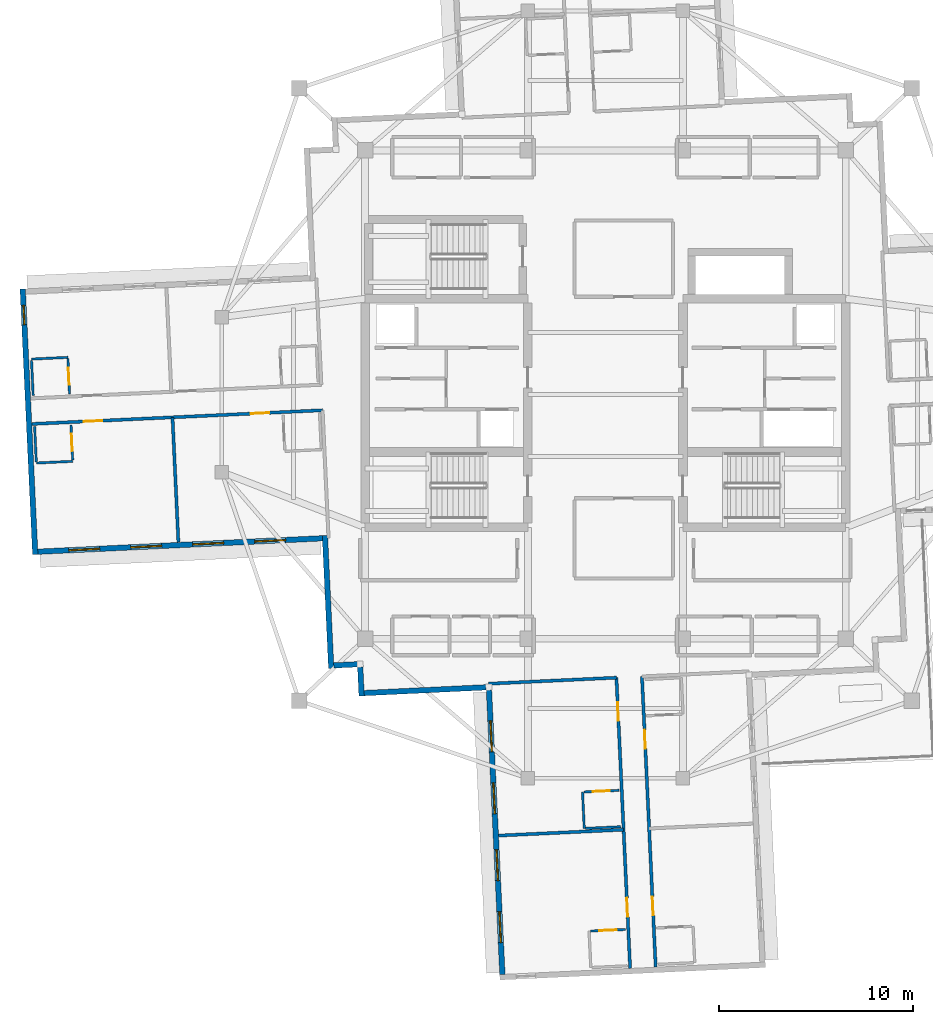
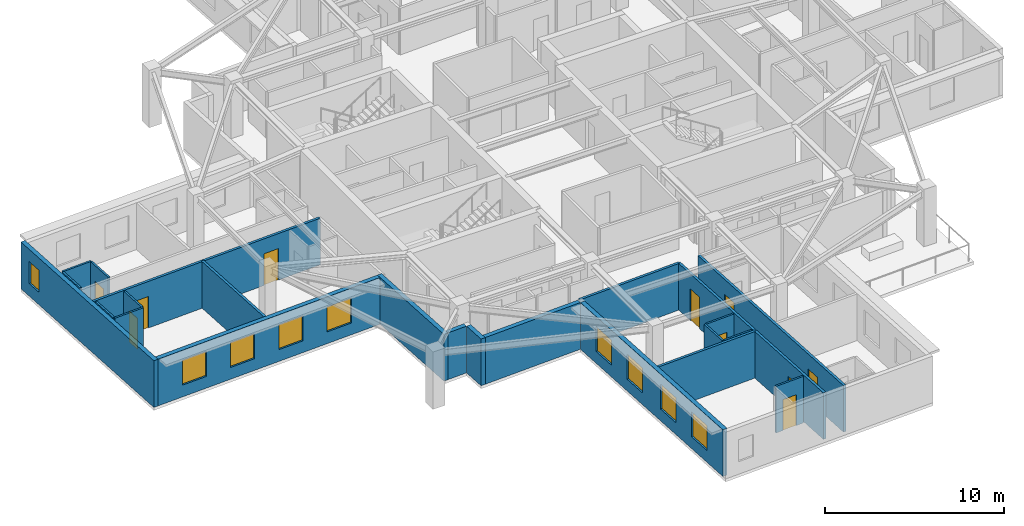
# One storey, part 3 of 13: 23 walls, 10 doors, 9 windows, 19 openings.
"""IFC4 building model written with IfcOpenShell, lengths in metres."""

from ifc_helpers import new_model, si_unit, direction, frame, frame_2d, origin, place, context, subcontext, project, spatial, rectangle, extrude, material, layer, layer_set, type_object, element, fill, save


model = new_model("IFC4")

# Units and contexts
model_context = context("Model", 3, precision=1e-05, world=origin(), true_north=direction((0.0, 1.0)))
body_context = subcontext(model_context, "Body", "Model", "MODEL_VIEW")
ifc_project = project(units=[si_unit("LENGTHUNIT", "METRE"), si_unit("AREAUNIT", "SQUARE_METRE"), si_unit("VOLUMEUNIT", "CUBIC_METRE"), si_unit("PLANEANGLEUNIT", "RADIAN"), si_unit("MASSUNIT", "GRAM", prefix="KILO")], contexts=[model_context])

# Site, building, storey
site_placement = place(None, origin())
site = spatial("IfcSite", under=ifc_project, at=site_placement, CompositionType="ELEMENT")
building_placement = place(site_placement, origin())
building = spatial("IfcBuilding", under=site, at=building_placement, Name="Qingluan Cross Belvedere", CompositionType="ELEMENT")
storey_placement = place(building_placement, frame((0.0, 0.0, 277.199951171875)))
storey = spatial("IfcBuildingStorey", under=building, at=storey_placement, Name="L69", CompositionType="ELEMENT", Elevation=277.199951171875)

# Wall, openings, doors
ifc_material_1 = material(Name="Gypsum plasterboard on steel stud acoustic partition", Category="steel")
ifc_layer_1 = layer(ifc_material_1, 0.159912109375, Name="CorridorPartition_160")
ifc_layer_set_1 = layer_set([ifc_layer_1], Name="Gypsum plasterboard on steel stud acoustic partition")
wall_type_1 = type_object("IfcWallType", Name="CorridorPartition_160", PredefinedType="PARTITIONING", material=ifc_layer_set_1)
wall_1_placement = place(storey_placement, frame((-14.59814453125, -0.80859375, 0.0), z_axis=(0.0, 0.0, 1.0), x_axis=(-0.998890288791, -0.047097674677, 0.0)))
wall_1 = element("IfcWall", 1, at=wall_1_placement, inside=storey, type_object=wall_type_1, Name="Partition L69:W:c1", PredefinedType="PARTITIONING", context=body_context, shape_type="SweptSolid", body=[
    extrude(rectangle(XDim=15.011962890625, YDim=0.159912109375, at=frame_2d((7.505859375, 0.0))), origin(), (0.0, 0.0, 1.0), 3.170166015625),
])
opening_1_placement = place(wall_1_placement, frame((2.7548828125, 0.0, 0.0)))
opening_1 = element("IfcOpeningElement", 2, at=opening_1_placement, cuts=wall_1, Name="Opening GD-10", PredefinedType="OPENING", context=body_context, shape_type="SweptSolid", body=[
    extrude(rectangle(XDim=0.9599609375, YDim=2.14990234375, at=frame_2d((0.47998046875, 1.074951171875))), frame((0.0, 0.08984375, 0.0), z_axis=(0.0, -1.0, 0.0), x_axis=(1.0, 0.0, 0.0)), (0.0, 0.0, 1.0), 0.179931640625),
])
opening_2_placement = place(wall_1_placement, frame((11.37109375, 0.0, 0.0)))
opening_2 = element("IfcOpeningElement", 3, at=opening_2_placement, cuts=wall_1, Name="Opening GD-10", PredefinedType="OPENING", context=body_context, shape_type="SweptSolid", body=[
    extrude(rectangle(XDim=0.9599609375, YDim=2.14990234375, at=frame_2d((0.47998046875, 1.074951171875))), frame((0.0, 0.08984375, 0.0), z_axis=(0.0, -1.0, 0.0), x_axis=(1.0, 0.0, 0.0)), (0.0, 0.0, 1.0), 0.179931640625),
])
ifc_material_2 = material(Name="Timber oak fire-rated acoustic guestroom door", Category="wood")
door_type_1 = type_object("IfcDoorType", Name="GuestEntryDoor_FD60", OperationType="NOTDEFINED", PredefinedType="DOOR", material=ifc_material_2)
door_1_placement = place(opening_1_placement, origin())
door_1 = element("IfcDoor", 4, at=door_1_placement, inside=storey, type_object=door_type_1, Name="Guest entry fire door 6907", OperationType="SINGLE_SWING_LEFT", OverallHeight=2.14990234375, OverallWidth=0.9599609375, PredefinedType="DOOR", context=body_context, shape_type="SweptSolid", body=[
    extrude(rectangle(XDim=0.9599609375, YDim=2.14990234375, at=frame_2d((0.47998046875, 1.074951171875))), frame((0.0, 0.02490234375, 0.0), z_axis=(0.0, -1.0, 0.0), x_axis=(1.0, 0.0, 0.0)), (0.0, 0.0, 1.0), 0.050048828125),
])
fill(opening_1, door_1)
door_2_placement = place(opening_2_placement, origin())
door_2 = element("IfcDoor", 5, at=door_2_placement, inside=storey, type_object=door_type_1, Name="Guest entry fire door 6908", OperationType="SINGLE_SWING_LEFT", OverallHeight=2.14990234375, OverallWidth=0.9599609375, PredefinedType="DOOR", context=body_context, shape_type="SweptSolid", body=[
    extrude(rectangle(XDim=0.9599609375, YDim=2.14990234375, at=frame_2d((0.47998046875, 1.074951171875))), frame((0.0, 0.02490234375, 0.0), z_axis=(0.0, -1.0, 0.0), x_axis=(1.0, 0.0, 0.0)), (0.0, 0.0, 1.0), 0.050048828125),
])
fill(opening_2, door_2)

# Wall
wall_2_placement = place(storey_placement, frame((-22.339599609375, -1.173583984375, 0.0), z_axis=(0.0, 0.0, 1.0), x_axis=(0.047110298825, -0.998889693482, 0.0)))
element("IfcWall", 6, at=wall_2_placement, inside=storey, type_object=wall_type_1, Name="Partition L69:W:d1_0", PredefinedType="PARTITIONING", context=body_context, shape_type="SweptSolid", body=[
    extrude(rectangle(XDim=6.451904296875, YDim=0.159912109375, at=frame_2d((3.22607421875, 0.0))), origin(), (0.0, 0.0, 1.0), 3.170166015625),
])

# Wall, openings, doors
wall_3_placement = place(storey_placement, frame((1.887451171875, -14.547119140625, 0.0), z_axis=(0.0, 0.0, 1.0), x_axis=(0.047097674677, -0.998890288791, 0.0)))
wall_3 = element("IfcWall", 7, at=wall_3_placement, inside=storey, type_object=wall_type_1, Name="Partition L69:S:c0", PredefinedType="PARTITIONING", context=body_context, shape_type="SweptSolid", body=[
    extrude(rectangle(XDim=15.011962890625, YDim=0.159912109375, at=frame_2d((7.505859375, 0.0))), origin(), (0.0, 0.0, 1.0), 3.170166015625),
])
opening_3_placement = place(wall_3_placement, frame((2.764892578125, 0.0, 0.0)))
opening_3 = element("IfcOpeningElement", 8, at=opening_3_placement, cuts=wall_3, Name="Opening GD-10", PredefinedType="OPENING", context=body_context, shape_type="SweptSolid", body=[
    extrude(rectangle(XDim=0.9599609375, YDim=2.14990234375, at=frame_2d((0.47998046875, 1.074951171875))), frame((0.0, 0.08984375, 0.0), z_axis=(0.0, -1.0, 0.0), x_axis=(1.0, 0.0, 0.0)), (0.0, 0.0, 1.0), 0.179931640625),
])
opening_4_placement = place(wall_3_placement, frame((11.381103515625, 0.0, 0.0)))
opening_4 = element("IfcOpeningElement", 9, at=opening_4_placement, cuts=wall_3, Name="Opening GD-10", PredefinedType="OPENING", context=body_context, shape_type="SweptSolid", body=[
    extrude(rectangle(XDim=0.9599609375, YDim=2.14990234375, at=frame_2d((0.47998046875, 1.074951171875))), frame((0.0, 0.08984375, 0.0), z_axis=(0.0, -1.0, 0.0), x_axis=(1.0, 0.0, 0.0)), (0.0, 0.0, 1.0), 0.179931640625),
])
door_3_placement = place(opening_3_placement, origin())
door_3 = element("IfcDoor", 10, at=door_3_placement, inside=storey, type_object=door_type_1, Name="Guest entry fire door 6915", OperationType="SINGLE_SWING_LEFT", OverallHeight=2.14990234375, OverallWidth=0.9599609375, PredefinedType="DOOR", context=body_context, shape_type="SweptSolid", body=[
    extrude(rectangle(XDim=0.9599609375, YDim=2.14990234375, at=frame_2d((0.47998046875, 1.074951171875))), frame((0.0, 0.02490234375, 0.0), z_axis=(0.0, -1.0, 0.0), x_axis=(1.0, 0.0, 0.0)), (0.0, 0.0, 1.0), 0.050048828125),
])
fill(opening_3, door_3)
door_4_placement = place(opening_4_placement, origin())
door_4 = element("IfcDoor", 11, at=door_4_placement, inside=storey, type_object=door_type_1, Name="Guest entry fire door 6916", OperationType="SINGLE_SWING_LEFT", OverallHeight=2.14990234375, OverallWidth=0.9599609375, PredefinedType="DOOR", context=body_context, shape_type="SweptSolid", body=[
    extrude(rectangle(XDim=0.9599609375, YDim=2.14990234375, at=frame_2d((0.47998046875, 1.074951171875))), frame((0.0, 0.02490234375, 0.0), z_axis=(0.0, -1.0, 0.0), x_axis=(1.0, 0.0, 0.0)), (0.0, 0.0, 1.0), 0.050048828125),
])
fill(opening_4, door_4)

wall_4_placement = place(storey_placement, frame((0.56884765625, -14.609375, 0.0), z_axis=(0.0, 0.0, 1.0), x_axis=(0.047097674677, -0.998890288791, 0.0)))
wall_4 = element("IfcWall", 12, at=wall_4_placement, inside=storey, type_object=wall_type_1, Name="Partition L69:S:c1", PredefinedType="PARTITIONING", context=body_context, shape_type="SweptSolid", body=[
    extrude(rectangle(XDim=15.011962890625, YDim=0.159912109375, at=frame_2d((7.505859375, 0.0))), origin(), (0.0, 0.0, 1.0), 3.170166015625),
])
opening_5_placement = place(wall_4_placement, frame((1.27099609375, 0.0, 0.0)))
opening_5 = element("IfcOpeningElement", 13, at=opening_5_placement, cuts=wall_4, Name="Opening GD-10", PredefinedType="OPENING", context=body_context, shape_type="SweptSolid", body=[
    extrude(rectangle(XDim=0.9599609375, YDim=2.14990234375, at=frame_2d((0.47998046875, 1.074951171875))), frame((0.0, 0.08984375, 0.0), z_axis=(0.0, -1.0, 0.0), x_axis=(1.0, 0.0, 0.0)), (0.0, 0.0, 1.0), 0.179931640625),
])
opening_6_placement = place(wall_4_placement, frame((11.381103515625, 0.0, 0.0)))
opening_6 = element("IfcOpeningElement", 14, at=opening_6_placement, cuts=wall_4, Name="Opening GD-10", PredefinedType="OPENING", context=body_context, shape_type="SweptSolid", body=[
    extrude(rectangle(XDim=0.9599609375, YDim=2.14990234375, at=frame_2d((0.47998046875, 1.074951171875))), frame((0.0, 0.08984375, 0.0), z_axis=(0.0, -1.0, 0.0), x_axis=(1.0, 0.0, 0.0)), (0.0, 0.0, 1.0), 0.179931640625),
])
door_5_placement = place(opening_5_placement, origin())
door_5 = element("IfcDoor", 15, at=door_5_placement, inside=storey, type_object=door_type_1, Name="Guest entry fire door 6917", OperationType="SINGLE_SWING_LEFT", OverallHeight=2.14990234375, OverallWidth=0.9599609375, PredefinedType="DOOR", context=body_context, shape_type="SweptSolid", body=[
    extrude(rectangle(XDim=0.9599609375, YDim=2.14990234375, at=frame_2d((0.47998046875, 1.074951171875))), frame((0.0, 0.02490234375, 0.0), z_axis=(0.0, -1.0, 0.0), x_axis=(1.0, 0.0, 0.0)), (0.0, 0.0, 1.0), 0.050048828125),
])
fill(opening_5, door_5)
door_6_placement = place(opening_6_placement, origin())
door_6 = element("IfcDoor", 16, at=door_6_placement, inside=storey, type_object=door_type_1, Name="Guest entry fire door 6918", OperationType="SINGLE_SWING_LEFT", OverallHeight=2.14990234375, OverallWidth=0.9599609375, PredefinedType="DOOR", context=body_context, shape_type="SweptSolid", body=[
    extrude(rectangle(XDim=0.9599609375, YDim=2.14990234375, at=frame_2d((0.47998046875, 1.074951171875))), frame((0.0, 0.02490234375, 0.0), z_axis=(0.0, -1.0, 0.0), x_axis=(1.0, 0.0, 0.0)), (0.0, 0.0, 1.0), 0.050048828125),
])
fill(opening_6, door_6)

# Walls
wall_5_placement = place(storey_placement, frame((0.56884765625, -14.609375, 0.0), z_axis=(0.0, 0.0, 1.0), x_axis=(-0.998888881116, -0.047127520444, 0.0)))
element("IfcWall", 17, at=wall_5_placement, inside=storey, type_object=wall_type_1, Name="Partition L69:S:s1", PredefinedType="PARTITIONING", context=body_context, shape_type="SweptSolid", body=[
    extrude(rectangle(XDim=6.599853515625, YDim=0.159912109375, at=frame_2d((3.2998046875, 0.0))), origin(), (0.0, 0.0, 1.0), 3.170166015625),
])
wall_6_placement = place(storey_placement, frame((0.938720703125, -22.45361328125, 0.0), z_axis=(0.0, 0.0, 1.0), x_axis=(-0.998889693482, -0.047110298825, 0.0)))
element("IfcWall", 18, at=wall_6_placement, inside=storey, type_object=wall_type_1, Name="Partition L69:S:d1_0", PredefinedType="PARTITIONING", context=body_context, shape_type="SweptSolid", body=[
    extrude(rectangle(XDim=6.451904296875, YDim=0.159912109375, at=frame_2d((3.22607421875, 0.0))), origin(), (0.0, 0.0, 1.0), 3.170166015625),
])

# Wall, opening, door
ifc_material_3 = material(Name="Moisture-resistant gypsum board lining")
ifc_layer_2 = layer(ifc_material_3, 0.1201171875, Name="EnsuiteWetPartition_120")
ifc_layer_set_2 = layer_set([ifc_layer_2], Name="Moisture-resistant gypsum board lining")
wall_type_2 = type_object("IfcWallType", Name="EnsuiteWetPartition_120", PredefinedType="PARTITIONING", material=ifc_layer_set_2)
wall_7_placement = place(storey_placement, frame((-27.652587890625, 0.037353515625, 0.0), z_axis=(0.0, 0.0, 1.0), x_axis=(-0.047080807099, 0.998891083954, 0.0)))
wall_7 = element("IfcWall", 19, at=wall_7_placement, inside=storey, type_object=wall_type_2, Name="Partition L69:W:bs0_1", PredefinedType="PARTITIONING", context=body_context, shape_type="SweptSolid", body=[
    extrude(rectangle(XDim=1.820068359375, YDim=0.1201171875, at=frame_2d((0.91015625, 0.0))), origin(), (0.0, 0.0, 1.0), 3.170166015625),
])
opening_7_placement = place(wall_7_placement, frame((0.469970703125, 0.0, 0.0)))
opening_7 = element("IfcOpeningElement", 20, at=opening_7_placement, cuts=wall_7, Name="Opening BD-09", PredefinedType="OPENING", context=body_context, shape_type="SweptSolid", body=[
    extrude(rectangle(XDim=0.8798828125, YDim=2.10009765625, at=frame_2d((0.43994140625, 1.050048828125))), frame((0.0, 0.070068359375, 0.0), z_axis=(0.0, -1.0, 0.0), x_axis=(1.0, 0.0, 0.0)), (0.0, 0.0, 1.0), 0.14013671875),
])
ifc_material_4 = material(Name="Moisture-sealed timber en-suite door", Category="wood")
door_type_2 = type_object("IfcDoorType", Name="BathroomDoor_880", OperationType="NOTDEFINED", PredefinedType="DOOR", material=ifc_material_4)
door_7_placement = place(opening_7_placement, origin())
door_7 = element("IfcDoor", 21, at=door_7_placement, inside=storey, type_object=door_type_2, Name="Bathroom door 6906", OperationType="SINGLE_SWING_RIGHT", OverallHeight=2.10009765625, OverallWidth=0.8798828125, PredefinedType="DOOR", context=body_context, shape_type="SweptSolid", body=[
    extrude(rectangle(XDim=0.8798828125, YDim=2.10009765625, at=frame_2d((0.43994140625, 1.050048828125))), frame((0.0, 0.02490234375, 0.0), z_axis=(0.0, -1.0, 0.0), x_axis=(1.0, 0.0, 0.0)), (0.0, 0.0, 1.0), 0.050048828125),
])
fill(opening_7, door_7)

# Walls
wall_8_placement = place(storey_placement, frame((-29.530517578125, -0.051025390625, 0.0), z_axis=(0.0, 0.0, 1.0), x_axis=(-0.047087116047, 0.998890786574, 0.0)))
element("IfcWall", 22, at=wall_8_placement, inside=storey, type_object=wall_type_2, Name="Partition L69:W:bw0_1", PredefinedType="PARTITIONING", context=body_context, shape_type="SweptSolid", body=[
    extrude(rectangle(XDim=1.81982421875, YDim=0.1201171875, at=frame_2d((0.909912109375, 0.0))), origin(), (0.0, 0.0, 1.0), 3.170166015625),
])
wall_9_placement = place(storey_placement, frame((-27.7412109375, 1.92041015625, 0.0), z_axis=(0.0, 0.0, 1.0), x_axis=(-0.998888319371, -0.047139425368, 0.0)))
element("IfcWall", 23, at=wall_9_placement, inside=storey, type_object=wall_type_2, Name="Partition L69:W:bn0_1", PredefinedType="PARTITIONING", context=body_context, shape_type="SweptSolid", body=[
    extrude(rectangle(XDim=1.880126953125, YDim=0.1201171875, at=frame_2d((0.93994140625, 0.0))), origin(), (0.0, 0.0, 1.0), 3.170166015625),
])

# Wall, opening, door
wall_10_placement = place(storey_placement, frame((-27.491455078125, -3.37890625, 0.0), z_axis=(0.0, 0.0, 1.0), x_axis=(-0.047080807099, 0.998891083954, 0.0)))
wall_10 = element("IfcWall", 24, at=wall_10_placement, inside=storey, type_object=wall_type_2, Name="Partition L69:W:bs1_1", PredefinedType="PARTITIONING", context=body_context, shape_type="SweptSolid", body=[
    extrude(rectangle(XDim=1.820068359375, YDim=0.1201171875, at=frame_2d((0.91015625, 0.0))), origin(), (0.0, 0.0, 1.0), 3.170166015625),
])
opening_8_placement = place(wall_10_placement, frame((0.469970703125, 0.0, 0.0)))
opening_8 = element("IfcOpeningElement", 25, at=opening_8_placement, cuts=wall_10, Name="Opening BD-09", PredefinedType="OPENING", context=body_context, shape_type="SweptSolid", body=[
    extrude(rectangle(XDim=0.8798828125, YDim=2.10009765625, at=frame_2d((0.43994140625, 1.050048828125))), frame((0.0, 0.070068359375, 0.0), z_axis=(0.0, -1.0, 0.0), x_axis=(1.0, 0.0, 0.0)), (0.0, 0.0, 1.0), 0.14013671875),
])
door_8_placement = place(opening_8_placement, origin())
door_8 = element("IfcDoor", 26, at=door_8_placement, inside=storey, type_object=door_type_2, Name="Bathroom door 6908", OperationType="SINGLE_SWING_RIGHT", OverallHeight=2.10009765625, OverallWidth=0.8798828125, PredefinedType="DOOR", context=body_context, shape_type="SweptSolid", body=[
    extrude(rectangle(XDim=0.8798828125, YDim=2.10009765625, at=frame_2d((0.43994140625, 1.050048828125))), frame((0.0, 0.02490234375, 0.0), z_axis=(0.0, -1.0, 0.0), x_axis=(1.0, 0.0, 0.0)), (0.0, 0.0, 1.0), 0.050048828125),
])
fill(opening_8, door_8)

# Walls
wall_11_placement = place(storey_placement, frame((-29.369384765625, -3.46728515625, 0.0), z_axis=(0.0, 0.0, 1.0), x_axis=(-0.047087116047, 0.998890786574, 0.0)))
element("IfcWall", 27, at=wall_11_placement, inside=storey, type_object=wall_type_2, Name="Partition L69:W:bw1_1", PredefinedType="PARTITIONING", context=body_context, shape_type="SweptSolid", body=[
    extrude(rectangle(XDim=1.81982421875, YDim=0.1201171875, at=frame_2d((0.909912109375, 0.0))), origin(), (0.0, 0.0, 1.0), 3.170166015625),
])
wall_12_placement = place(storey_placement, frame((-27.48828125, -3.443603515625, 0.0), z_axis=(0.0, 0.0, 1.0), x_axis=(-0.998888319371, -0.047139425368, 0.0)))
element("IfcWall", 28, at=wall_12_placement, inside=storey, type_object=wall_type_2, Name="Partition L69:W:bc1_1", PredefinedType="PARTITIONING", context=body_context, shape_type="SweptSolid", body=[
    extrude(rectangle(XDim=1.880126953125, YDim=0.1201171875, at=frame_2d((0.93994140625, 0.0))), origin(), (0.0, 0.0, 1.0), 3.170166015625),
])

# Wall, opening, door
wall_13_placement = place(storey_placement, frame((-1.115234375, -20.50830078125, 0.0), z_axis=(0.0, 0.0, 1.0), x_axis=(0.998891083954, 0.047080807099, 0.0)))
wall_13 = element("IfcWall", 29, at=wall_13_placement, inside=storey, type_object=wall_type_2, Name="Partition L69:S:bs1_0", PredefinedType="PARTITIONING", context=body_context, shape_type="SweptSolid", body=[
    extrude(rectangle(XDim=1.820068359375, YDim=0.1201171875, at=frame_2d((0.91015625, 0.0))), origin(), (0.0, 0.0, 1.0), 3.170166015625),
])
opening_9_placement = place(wall_13_placement, frame((0.469970703125, 0.0, 0.0)))
opening_9 = element("IfcOpeningElement", 30, at=opening_9_placement, cuts=wall_13, Name="Opening BD-09", PredefinedType="OPENING", context=body_context, shape_type="SweptSolid", body=[
    extrude(rectangle(XDim=0.8798828125, YDim=2.10009765625, at=frame_2d((0.43994140625, 1.050048828125))), frame((0.0, 0.070068359375, 0.0), z_axis=(0.0, -1.0, 0.0), x_axis=(1.0, 0.0, 0.0)), (0.0, 0.0, 1.0), 0.14013671875),
])
door_9_placement = place(opening_9_placement, origin())
door_9 = element("IfcDoor", 31, at=door_9_placement, inside=storey, type_object=door_type_2, Name="Bathroom door 6917", OperationType="SINGLE_SWING_RIGHT", OverallHeight=2.10009765625, OverallWidth=0.8798828125, PredefinedType="DOOR", context=body_context, shape_type="SweptSolid", body=[
    extrude(rectangle(XDim=0.8798828125, YDim=2.10009765625, at=frame_2d((0.43994140625, 1.050048828125))), frame((0.0, 0.02490234375, 0.0), z_axis=(0.0, -1.0, 0.0), x_axis=(1.0, 0.0, 0.0)), (0.0, 0.0, 1.0), 0.050048828125),
])
fill(opening_9, door_9)

# Walls
wall_14_placement = place(storey_placement, frame((-1.026611328125, -22.38623046875, 0.0), z_axis=(0.0, 0.0, 1.0), x_axis=(0.998891083954, 0.047080807099, 0.0)))
element("IfcWall", 32, at=wall_14_placement, inside=storey, type_object=wall_type_2, Name="Partition L69:S:bw1_0", PredefinedType="PARTITIONING", context=body_context, shape_type="SweptSolid", body=[
    extrude(rectangle(XDim=1.820068359375, YDim=0.1201171875, at=frame_2d((0.91015625, 0.0))), origin(), (0.0, 0.0, 1.0), 3.170166015625),
])
wall_15_placement = place(storey_placement, frame((-1.18017578125, -20.511474609375, 0.0), z_axis=(0.0, 0.0, 1.0), x_axis=(0.047139425368, -0.998888319371, 0.0)))
element("IfcWall", 33, at=wall_15_placement, inside=storey, type_object=wall_type_2, Name="Partition L69:S:bc1_0", PredefinedType="PARTITIONING", context=body_context, shape_type="SweptSolid", body=[
    extrude(rectangle(XDim=1.880126953125, YDim=0.1201171875, at=frame_2d((0.93994140625, 0.0))), origin(), (0.0, 0.0, 1.0), 3.170166015625),
])

# Wall, opening, door
wall_16_placement = place(storey_placement, frame((-0.776611328125, -27.687255859375, 0.0), z_axis=(0.0, 0.0, 1.0), x_axis=(0.998891083954, 0.047080807099, 0.0)))
wall_16 = element("IfcWall", 34, at=wall_16_placement, inside=storey, type_object=wall_type_2, Name="Partition L69:S:bs1_1", PredefinedType="PARTITIONING", context=body_context, shape_type="SweptSolid", body=[
    extrude(rectangle(XDim=1.820068359375, YDim=0.1201171875, at=frame_2d((0.91015625, 0.0))), origin(), (0.0, 0.0, 1.0), 3.170166015625),
])
opening_10_placement = place(wall_16_placement, frame((0.469970703125, 0.0, 0.0)))
opening_10 = element("IfcOpeningElement", 35, at=opening_10_placement, cuts=wall_16, Name="Opening BD-09", PredefinedType="OPENING", context=body_context, shape_type="SweptSolid", body=[
    extrude(rectangle(XDim=0.8798828125, YDim=2.10009765625, at=frame_2d((0.43994140625, 1.050048828125))), frame((0.0, 0.070068359375, 0.0), z_axis=(0.0, -1.0, 0.0), x_axis=(1.0, 0.0, 0.0)), (0.0, 0.0, 1.0), 0.14013671875),
])
door_10_placement = place(opening_10_placement, origin())
door_10 = element("IfcDoor", 36, at=door_10_placement, inside=storey, type_object=door_type_2, Name="Bathroom door 6918", OperationType="SINGLE_SWING_RIGHT", OverallHeight=2.10009765625, OverallWidth=0.8798828125, PredefinedType="DOOR", context=body_context, shape_type="SweptSolid", body=[
    extrude(rectangle(XDim=0.8798828125, YDim=2.10009765625, at=frame_2d((0.43994140625, 1.050048828125))), frame((0.0, 0.02490234375, 0.0), z_axis=(0.0, -1.0, 0.0), x_axis=(1.0, 0.0, 0.0)), (0.0, 0.0, 1.0), 0.050048828125),
])
fill(opening_10, door_10)

# Wall, openings, windows
ifc_material_5 = material(Name="Precast concrete C45", Category="concrete")
ifc_layer_3 = layer(ifc_material_5, 0.280029296875, Name="PrecastFacadeWall_280")
ifc_layer_set_3 = layer_set([ifc_layer_3], Name="Precast concrete C45")
wall_type_3 = type_object("IfcWallType", Name="PrecastFacadeWall_280", PredefinedType="STANDARD", material=ifc_layer_set_3)
wall_17_placement = place(storey_placement, frame((-29.29052734375, -8.10888671875, 0.0), z_axis=(0.0, 0.0, 1.0), x_axis=(0.998889342735, 0.047117735191, 0.0)))
wall_17 = element("IfcWall", 37, at=wall_17_placement, inside=storey, type_object=wall_type_3, Name="Facade wall L69-WB", PredefinedType="STANDARD", context=body_context, shape_type="SweptSolid", body=[
    extrude(rectangle(XDim=14.699951171875, YDim=0.280029296875, at=frame_2d((7.35009765625, 0.0))), origin(), (0.0, 0.0, 1.0), 3.179931640625),
])
opening_11_placement = place(wall_17_placement, frame((1.60009765625, 0.0, 0.800048828125)))
opening_11 = element("IfcOpeningElement", 38, at=opening_11_placement, cuts=wall_17, Name="Opening W-04", PredefinedType="OPENING", context=body_context, shape_type="SweptSolid", body=[
    extrude(rectangle(XDim=1.60009765625, YDim=1.699951171875, at=frame_2d((0.800048828125, 0.85009765625))), frame((0.0, 0.14990234375, 0.0), z_axis=(0.0, -1.0, 0.0), x_axis=(1.0, 0.0, 0.0)), (0.0, 0.0, 1.0), 0.300048828125),
])
opening_12_placement = place(wall_17_placement, frame((4.800048828125, 0.0, 0.800048828125)))
opening_12 = element("IfcOpeningElement", 39, at=opening_12_placement, cuts=wall_17, Name="Opening W-04", PredefinedType="OPENING", context=body_context, shape_type="SweptSolid", body=[
    extrude(rectangle(XDim=1.60009765625, YDim=1.699951171875, at=frame_2d((0.800048828125, 0.85009765625))), frame((0.0, 0.14990234375, 0.0), z_axis=(0.0, -1.0, 0.0), x_axis=(1.0, 0.0, 0.0)), (0.0, 0.0, 1.0), 0.300048828125),
])
opening_13_placement = place(wall_17_placement, frame((8.0, 0.0, 0.800048828125)))
opening_13 = element("IfcOpeningElement", 40, at=opening_13_placement, cuts=wall_17, Name="Opening W-04", PredefinedType="OPENING", context=body_context, shape_type="SweptSolid", body=[
    extrude(rectangle(XDim=1.60009765625, YDim=1.699951171875, at=frame_2d((0.800048828125, 0.85009765625))), frame((0.0, 0.14990234375, 0.0), z_axis=(0.0, -1.0, 0.0), x_axis=(1.0, 0.0, 0.0)), (0.0, 0.0, 1.0), 0.300048828125),
])
opening_14_placement = place(wall_17_placement, frame((11.199951171875, 0.0, 0.800048828125)))
opening_14 = element("IfcOpeningElement", 41, at=opening_14_placement, cuts=wall_17, Name="Opening W-04", PredefinedType="OPENING", context=body_context, shape_type="SweptSolid", body=[
    extrude(rectangle(XDim=1.60009765625, YDim=1.699951171875, at=frame_2d((0.800048828125, 0.85009765625))), frame((0.0, 0.14990234375, 0.0), z_axis=(0.0, -1.0, 0.0), x_axis=(1.0, 0.0, 0.0)), (0.0, 0.0, 1.0), 0.300048828125),
])
ifc_material_6 = material(Name="Thermally broken triple Low-E glass in aluminium frame", Category="aluminium")
window_type_1 = type_object("IfcWindowType", Name="SuiteCornerWin_1600x1700", PartitioningType="SINGLE_PANEL", PredefinedType="WINDOW", material=ifc_material_6)
window_1_placement = place(opening_11_placement, origin())
window_1 = element("IfcWindow", 42, at=window_1_placement, inside=storey, type_object=window_type_1, Name="Ribbon window L69-WB-1", OverallHeight=1.699951171875, OverallWidth=1.60009765625, PartitioningType="SINGLE_PANEL", PredefinedType="WINDOW", context=body_context, shape_type="SweptSolid", body=[
    extrude(rectangle(XDim=1.60009765625, YDim=1.699951171875, at=frame_2d((0.800048828125, 0.85009765625))), frame((0.0, 0.030029296875, 0.0), z_axis=(0.0, -1.0, 0.0), x_axis=(1.0, 0.0, 0.0)), (0.0, 0.0, 1.0), 0.06005859375),
])
fill(opening_11, window_1)
window_2_placement = place(opening_12_placement, origin())
window_2 = element("IfcWindow", 43, at=window_2_placement, inside=storey, type_object=window_type_1, Name="Ribbon window L69-WB-2", OverallHeight=1.699951171875, OverallWidth=1.60009765625, PartitioningType="SINGLE_PANEL", PredefinedType="WINDOW", context=body_context, shape_type="SweptSolid", body=[
    extrude(rectangle(XDim=1.60009765625, YDim=1.699951171875, at=frame_2d((0.800048828125, 0.85009765625))), frame((0.0, 0.030029296875, 0.0), z_axis=(0.0, -1.0, 0.0), x_axis=(1.0, 0.0, 0.0)), (0.0, 0.0, 1.0), 0.06005859375),
])
fill(opening_12, window_2)
window_3_placement = place(opening_13_placement, origin())
window_3 = element("IfcWindow", 44, at=window_3_placement, inside=storey, type_object=window_type_1, Name="Ribbon window L69-WB-3", OverallHeight=1.699951171875, OverallWidth=1.60009765625, PartitioningType="SINGLE_PANEL", PredefinedType="WINDOW", context=body_context, shape_type="SweptSolid", body=[
    extrude(rectangle(XDim=1.60009765625, YDim=1.699951171875, at=frame_2d((0.800048828125, 0.85009765625))), frame((0.0, 0.030029296875, 0.0), z_axis=(0.0, -1.0, 0.0), x_axis=(1.0, 0.0, 0.0)), (0.0, 0.0, 1.0), 0.06005859375),
])
fill(opening_13, window_3)
window_4_placement = place(opening_14_placement, origin())
window_4 = element("IfcWindow", 45, at=window_4_placement, inside=storey, type_object=window_type_1, Name="Ribbon window L69-WB-4", OverallHeight=1.699951171875, OverallWidth=1.60009765625, PartitioningType="SINGLE_PANEL", PredefinedType="WINDOW", context=body_context, shape_type="SweptSolid", body=[
    extrude(rectangle(XDim=1.60009765625, YDim=1.699951171875, at=frame_2d((0.800048828125, 0.85009765625))), frame((0.0, 0.030029296875, 0.0), z_axis=(0.0, -1.0, 0.0), x_axis=(1.0, 0.0, 0.0)), (0.0, 0.0, 1.0), 0.06005859375),
])
fill(opening_14, window_4)

# Wall, opening, window
wall_18_placement = place(storey_placement, frame((-30.070068359375, 5.44970703125, 0.0), z_axis=(0.0, 0.0, 1.0), x_axis=(0.047101845086, -0.998890092147, 0.0)))
wall_18 = element("IfcWall", 46, at=wall_18_placement, inside=storey, type_object=wall_type_3, Name="Arm tip precast facade wall L69-W", PredefinedType="STANDARD", context=body_context, shape_type="SweptSolid", body=[
    extrude(rectangle(XDim=13.719970703125, YDim=0.280029296875, at=frame_2d((6.85986328125, 0.0))), origin(), (0.0, 0.0, 1.0), 3.179931640625),
])
opening_15_placement = place(wall_18_placement, frame((0.85009765625, 0.0, 0.85009765625)))
opening_15 = element("IfcOpeningElement", 47, at=opening_15_placement, cuts=wall_18, Name="Opening W-03", PredefinedType="OPENING", context=body_context, shape_type="SweptSolid", body=[
    extrude(rectangle(XDim=1.0, YDim=1.5, at=frame_2d((0.5, 0.75))), frame((0.0, 0.14990234375, 0.0), z_axis=(0.0, -1.0, 0.0), x_axis=(1.0, 0.0, 0.0)), (0.0, 0.0, 1.0), 0.300048828125),
])
ifc_material_7 = material(Name="Thermally broken triple Low-E glass in aluminium frame", Category="aluminium")
window_type_2 = type_object("IfcWindowType", Name="TriApexWin_1000x1500", PartitioningType="SINGLE_PANEL", PredefinedType="WINDOW", material=ifc_material_7)
window_5_placement = place(opening_15_placement, origin())
window_5 = element("IfcWindow", 48, at=window_5_placement, inside=storey, type_object=window_type_2, Name="Arm tip triangular window L69-W", OverallHeight=1.5, OverallWidth=1.0, PartitioningType="SINGLE_PANEL", PredefinedType="WINDOW", context=body_context, shape_type="SweptSolid", body=[
    extrude(rectangle(XDim=1.0, YDim=1.5, at=frame_2d((0.5, 0.75))), frame((0.0, 0.030029296875, 0.0), z_axis=(0.0, -1.0, 0.0), x_axis=(1.0, 0.0, 0.0)), (0.0, 0.0, 1.0), 0.06005859375),
])
fill(opening_15, window_5)

# Wall, openings, windows
wall_19_placement = place(storey_placement, frame((-6.0087890625, -15.239990234375, 0.0), z_axis=(0.0, 0.0, 1.0), x_axis=(0.047101163748, -0.998890124275, 0.0)))
wall_19 = element("IfcWall", 49, at=wall_19_placement, inside=storey, type_object=wall_type_3, Name="Facade wall L69-SA", PredefinedType="STANDARD", context=body_context, shape_type="SweptSolid", body=[
    extrude(rectangle(XDim=14.699951171875, YDim=0.280029296875, at=frame_2d((7.35009765625, 0.0))), origin(), (0.0, 0.0, 1.0), 3.179931640625),
])
opening_16_placement = place(wall_19_placement, frame((1.60009765625, 0.0, 0.800048828125)))
opening_16 = element("IfcOpeningElement", 50, at=opening_16_placement, cuts=wall_19, Name="Opening W-04", PredefinedType="OPENING", context=body_context, shape_type="SweptSolid", body=[
    extrude(rectangle(XDim=1.60009765625, YDim=1.699951171875, at=frame_2d((0.800048828125, 0.85009765625))), frame((0.0, 0.14990234375, 0.0), z_axis=(0.0, -1.0, 0.0), x_axis=(1.0, 0.0, 0.0)), (0.0, 0.0, 1.0), 0.300048828125),
])
opening_17_placement = place(wall_19_placement, frame((4.800048828125, 0.0, 0.800048828125)))
opening_17 = element("IfcOpeningElement", 51, at=opening_17_placement, cuts=wall_19, Name="Opening W-04", PredefinedType="OPENING", context=body_context, shape_type="SweptSolid", body=[
    extrude(rectangle(XDim=1.60009765625, YDim=1.699951171875, at=frame_2d((0.800048828125, 0.85009765625))), frame((0.0, 0.14990234375, 0.0), z_axis=(0.0, -1.0, 0.0), x_axis=(1.0, 0.0, 0.0)), (0.0, 0.0, 1.0), 0.300048828125),
])
opening_18_placement = place(wall_19_placement, frame((8.25, 0.0, 0.800048828125)))
opening_18 = element("IfcOpeningElement", 52, at=opening_18_placement, cuts=wall_19, Name="Opening W-04", PredefinedType="OPENING", context=body_context, shape_type="SweptSolid", body=[
    extrude(rectangle(XDim=1.60009765625, YDim=1.699951171875, at=frame_2d((0.800048828125, 0.85009765625))), frame((0.0, 0.14990234375, 0.0), z_axis=(0.0, -1.0, 0.0), x_axis=(1.0, 0.0, 0.0)), (0.0, 0.0, 1.0), 0.300048828125),
])
opening_19_placement = place(wall_19_placement, frame((11.449951171875, 0.0, 0.800048828125)))
opening_19 = element("IfcOpeningElement", 53, at=opening_19_placement, cuts=wall_19, Name="Opening W-04", PredefinedType="OPENING", context=body_context, shape_type="SweptSolid", body=[
    extrude(rectangle(XDim=1.60009765625, YDim=1.699951171875, at=frame_2d((0.800048828125, 0.85009765625))), frame((0.0, 0.14990234375, 0.0), z_axis=(0.0, -1.0, 0.0), x_axis=(1.0, 0.0, 0.0)), (0.0, 0.0, 1.0), 0.300048828125),
])
window_6_placement = place(opening_16_placement, origin())
window_6 = element("IfcWindow", 54, at=window_6_placement, inside=storey, type_object=window_type_1, Name="Ribbon window L69-SA-1", OverallHeight=1.699951171875, OverallWidth=1.60009765625, PartitioningType="SINGLE_PANEL", PredefinedType="WINDOW", context=body_context, shape_type="SweptSolid", body=[
    extrude(rectangle(XDim=1.60009765625, YDim=1.699951171875, at=frame_2d((0.800048828125, 0.85009765625))), frame((0.0, 0.030029296875, 0.0), z_axis=(0.0, -1.0, 0.0), x_axis=(1.0, 0.0, 0.0)), (0.0, 0.0, 1.0), 0.06005859375),
])
fill(opening_16, window_6)
window_7_placement = place(opening_17_placement, origin())
window_7 = element("IfcWindow", 55, at=window_7_placement, inside=storey, type_object=window_type_1, Name="Ribbon window L69-SA-2", OverallHeight=1.699951171875, OverallWidth=1.60009765625, PartitioningType="SINGLE_PANEL", PredefinedType="WINDOW", context=body_context, shape_type="SweptSolid", body=[
    extrude(rectangle(XDim=1.60009765625, YDim=1.699951171875, at=frame_2d((0.800048828125, 0.85009765625))), frame((0.0, 0.030029296875, 0.0), z_axis=(0.0, -1.0, 0.0), x_axis=(1.0, 0.0, 0.0)), (0.0, 0.0, 1.0), 0.06005859375),
])
fill(opening_17, window_7)
window_8_placement = place(opening_18_placement, origin())
window_8 = element("IfcWindow", 56, at=window_8_placement, inside=storey, type_object=window_type_1, Name="Ribbon window L69-SA-3", OverallHeight=1.699951171875, OverallWidth=1.60009765625, PartitioningType="SINGLE_PANEL", PredefinedType="WINDOW", context=body_context, shape_type="SweptSolid", body=[
    extrude(rectangle(XDim=1.60009765625, YDim=1.699951171875, at=frame_2d((0.800048828125, 0.85009765625))), frame((0.0, 0.030029296875, 0.0), z_axis=(0.0, -1.0, 0.0), x_axis=(1.0, 0.0, 0.0)), (0.0, 0.0, 1.0), 0.06005859375),
])
fill(opening_18, window_8)
window_9_placement = place(opening_19_placement, origin())
window_9 = element("IfcWindow", 57, at=window_9_placement, inside=storey, type_object=window_type_1, Name="Ribbon window L69-SA-4", OverallHeight=1.699951171875, OverallWidth=1.60009765625, PartitioningType="SINGLE_PANEL", PredefinedType="WINDOW", context=body_context, shape_type="SweptSolid", body=[
    extrude(rectangle(XDim=1.60009765625, YDim=1.699951171875, at=frame_2d((0.800048828125, 0.85009765625))), frame((0.0, 0.030029296875, 0.0), z_axis=(0.0, -1.0, 0.0), x_axis=(1.0, 0.0, 0.0)), (0.0, 0.0, 1.0), 0.06005859375),
])
fill(opening_19, window_9)

# Walls
wall_20_placement = place(storey_placement, frame((-14.4736328125, -7.27001953125, 0.0), z_axis=(0.0, 0.0, 1.0), x_axis=(0.04712043756, -0.998889215261, 0.0)))
element("IfcWall", 58, at=wall_20_placement, inside=storey, type_object=wall_type_3, Name="Corner wall L69-SW1", PredefinedType="STANDARD", context=body_context, shape_type="SweptSolid", body=[
    extrude(rectangle(XDim=6.85986328125, YDim=0.280029296875, at=frame_2d((3.429931640625, 0.0))), origin(), (0.0, 0.0, 1.0), 3.179931640625),
])
wall_21_placement = place(storey_placement, frame((-14.01708984375, -13.975830078125, 0.0), z_axis=(0.0, 0.0, 1.0), x_axis=(0.998883930236, 0.047232339719, 0.0)))
element("IfcWall", 59, at=wall_21_placement, inside=storey, type_object=wall_type_3, Name="Corner wall L69-SW2", PredefinedType="STANDARD", context=body_context, shape_type="SweptSolid", body=[
    extrude(rectangle(XDim=1.219970703125, YDim=0.280029296875, at=frame_2d((0.60986328125, 0.0))), origin(), (0.0, 0.0, 1.0), 3.179931640625),
])
wall_22_placement = place(storey_placement, frame((-12.652099609375, -14.051513671875, 0.0), z_axis=(0.0, 0.0, 1.0), x_axis=(0.047039284441, -0.99889304018, 0.0)))
element("IfcWall", 60, at=wall_22_placement, inside=storey, type_object=wall_type_3, Name="Corner wall L69-SW3", PredefinedType="STANDARD", context=body_context, shape_type="SweptSolid", body=[
    extrude(rectangle(XDim=1.5, YDim=0.280029296875, at=frame_2d((0.75, 0.0))), origin(), (0.0, 0.0, 1.0), 3.179931640625),
])
wall_23_placement = place(storey_placement, frame((-12.4482421875, -15.403564453125, 0.0), z_axis=(0.0, 0.0, 1.0), x_axis=(0.998889082162, 0.047123258997, 0.0)))
element("IfcWall", 61, at=wall_23_placement, inside=storey, type_object=wall_type_3, Name="Corner wall L69-SW4", PredefinedType="STANDARD", context=body_context, shape_type="SweptSolid", body=[
    extrude(rectangle(XDim=6.300048828125, YDim=0.280029296875, at=frame_2d((3.14990234375, 0.0))), origin(), (0.0, 0.0, 1.0), 3.179931640625),
])

save(model, "model.ifc")
